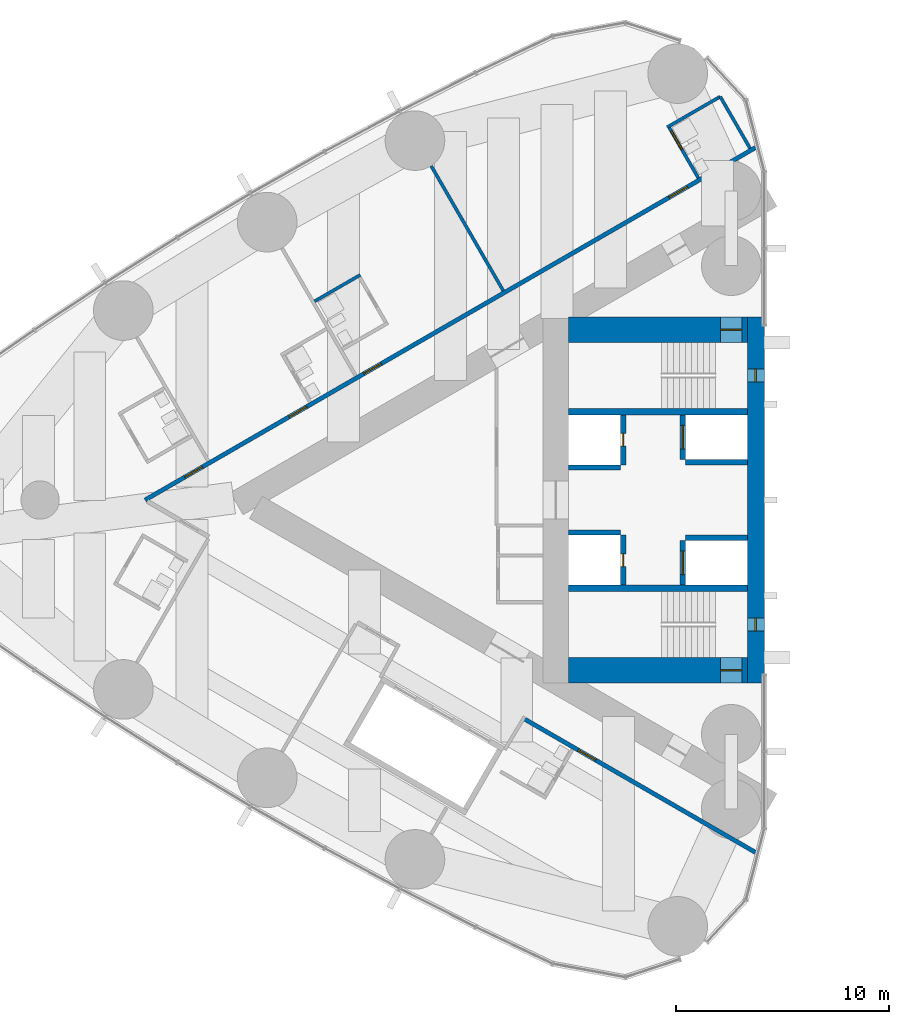
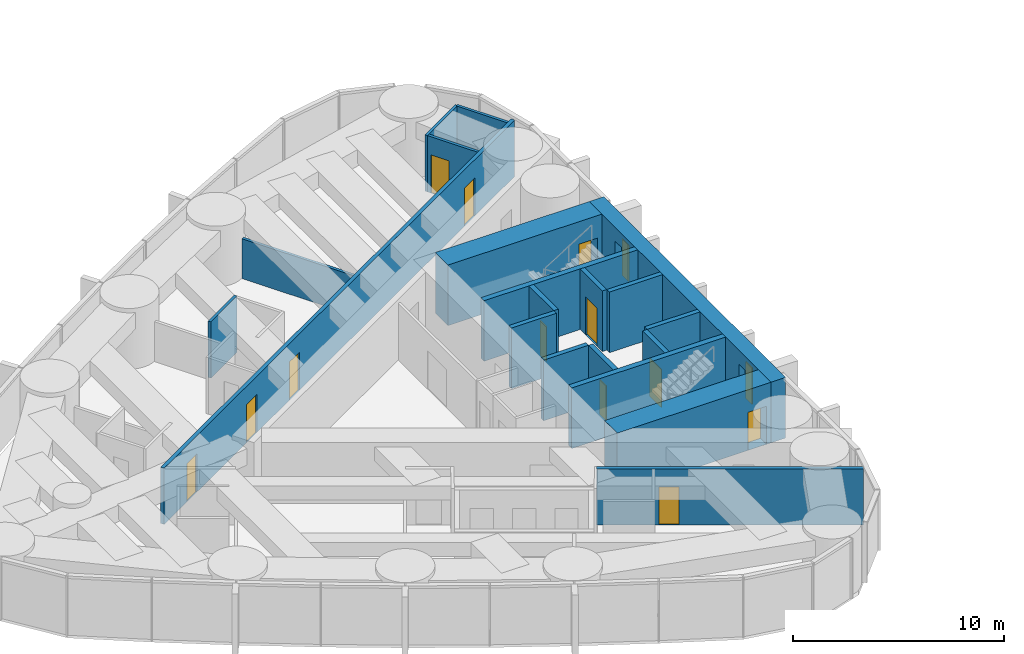
# One storey, part 13 of 19: 20 walls, 12 doors, 2 windows, 14 openings.
"""IFC4 building model written with IfcOpenShell, lengths in metres."""

from ifc_helpers import new_model, si_unit, direction, frame, frame_2d, origin, place, context, subcontext, project, spatial, rectangle, extrude, material, layer, layer_set, type_object, element, fill, save


model = new_model("IFC4")

# Units and contexts
model_context = context("Model", 3, precision=1e-05, world=origin(), true_north=direction((0.0, 1.0)))
body_context = subcontext(model_context, "Body", "Model", "MODEL_VIEW")
ifc_project = project(units=[si_unit("LENGTHUNIT", "METRE"), si_unit("AREAUNIT", "SQUARE_METRE"), si_unit("VOLUMEUNIT", "CUBIC_METRE"), si_unit("PLANEANGLEUNIT", "RADIAN"), si_unit("MASSUNIT", "GRAM", prefix="KILO")], contexts=[model_context])

# Site, building, storey
site_placement = place(None, origin())
site = spatial("IfcSite", under=ifc_project, at=site_placement, CompositionType="ELEMENT")
building_placement = place(site_placement, origin())
building = spatial("IfcBuilding", under=site, at=building_placement, Name="Lancet Gate Hotel", CompositionType="ELEMENT")
storey_placement = place(building_placement, frame((0.0, 0.0, 173.800048828125)))
storey = spatial("IfcBuildingStorey", under=building, at=storey_placement, Name="L46", CompositionType="ELEMENT", Elevation=173.800048828125)

# Wall
ifc_material_1 = material(Name="Moisture resistant board partition")
ifc_layer_1 = layer(ifc_material_1, 0.14990234375)
ifc_layer_set_1 = layer_set([ifc_layer_1], Name="Bathroom wall 150")
wall_type_1 = type_object("IfcWallType", Name="Bathroom wall 150", PredefinedType="PARTITIONING", material=ifc_layer_set_1)
wall_1_placement = place(storey_placement, frame((-29.56982421875, 18.936279296875, 0.0), z_axis=(0.0, 0.0, 1.0), x_axis=(-0.866018712932, -0.500011588718, 0.0)))
element("IfcWall", 1, at=wall_1_placement, inside=storey, type_object=wall_type_1, Name="T1 bathroom wall 150 L46", PredefinedType="PARTITIONING", context=body_context, shape_type="SweptSolid", body=[
    extrude(rectangle(XDim=2.875, YDim=0.14990234375, at=frame_2d((1.4375, 0.0))), origin(), (0.0, 0.0, 1.0), 3.25),
])

# Wall, opening, door
wall_2_placement = place(storey_placement, frame((-30.5947265625, 15.111328125, 0.0), z_axis=(0.0, 0.0, 1.0), x_axis=(-0.49998411664, 0.866034573852, 0.0)))
wall_2 = element("IfcWall", 2, at=wall_2_placement, inside=storey, type_object=wall_type_1, Name="T1 bathroom wall 150 L46", PredefinedType="PARTITIONING", context=body_context, shape_type="SweptSolid", body=[
    extrude(rectangle(XDim=2.7998046875, YDim=0.14990234375, at=frame_2d((1.39990234375, 0.0))), origin(), (0.0, 0.0, 1.0), 3.25),
])
opening_1_placement = place(wall_2_placement, frame((1.550048828125, 0.0, 0.0)))
opening_1 = element("IfcOpeningElement", 3, at=opening_1_placement, cuts=wall_2, Name="Opening 4601-B", PredefinedType="OPENING", context=body_context, shape_type="SweptSolid", body=[
    extrude(rectangle(XDim=1.0, YDim=2.199951171875, at=frame_2d((0.5, 1.10009765625))), frame((0.0, 0.0849609375, 0.0), z_axis=(0.0, -1.0, 0.0), x_axis=(1.0, 0.0, 0.0)), (0.0, 0.0, 1.0), 0.169921875),
])
ifc_material_2 = material(Name="Timber door set", Category="wood")
door_type_1 = type_object("IfcDoorType", Name="Accessible en-suite door 1000", OperationType="SINGLE_SWING_RIGHT", PredefinedType="DOOR", material=ifc_material_2)
door_1_placement = place(opening_1_placement, origin())
door_1 = element("IfcDoor", 4, at=door_1_placement, inside=storey, type_object=door_type_1, Name="4601-B", OperationType="SINGLE_SWING_RIGHT", OverallHeight=2.199951171875, OverallWidth=1.0, PredefinedType="DOOR", context=body_context, shape_type="SweptSolid", body=[
    extrude(rectangle(XDim=1.0, YDim=2.199951171875, at=frame_2d((0.5, 1.10009765625))), frame((0.0, 0.02490234375, 0.0), z_axis=(0.0, -1.0, 0.0), x_axis=(1.0, 0.0, 0.0)), (0.0, 0.0, 1.0), 0.050048828125),
])
fill(opening_1, door_1)

# Walls
wall_3_placement = place(storey_placement, frame((-28.169921875, 16.51123046875, 0.0), z_axis=(0.0, 0.0, 1.0), x_axis=(-0.49994636267, 0.866056369097, 0.0)))
element("IfcWall", 5, at=wall_3_placement, inside=storey, type_object=wall_type_1, Name="T1 bathroom wall 150 L46", PredefinedType="PARTITIONING", context=body_context, shape_type="SweptSolid", body=[
    extrude(rectangle(XDim=2.800048828125, YDim=0.14990234375, at=frame_2d((1.39990234375, 0.0))), origin(), (0.0, 0.0, 1.0), 3.25),
])
wall_4_placement = place(storey_placement, frame((-46.470458984375, 10.564208984375, 0.0), z_axis=(0.0, 0.0, 1.0), x_axis=(-0.866006523861, -0.500032699561, 0.0)))
element("IfcWall", 6, at=wall_4_placement, inside=storey, type_object=wall_type_1, Name="T1 bathroom wall 150 L46", PredefinedType="PARTITIONING", context=body_context, shape_type="SweptSolid", body=[
    extrude(rectangle(XDim=2.474853515625, YDim=0.14990234375, at=frame_2d((1.2373046875, 0.0))), origin(), (0.0, 0.0, 1.0), 3.25),
])

# Wall, opening, door
ifc_material_3 = material(Name="Concrete C70/85", Category="concrete")
ifc_layer_2 = layer(ifc_material_3, 1.199951171875)
ifc_layer_set_2 = layer_set([ifc_layer_2], Name="Core wall 1200")
wall_type_2 = type_object("IfcWallType", Name="Core wall 1200", PredefinedType="SHEAR", material=ifc_layer_set_2)
wall_5_placement = place(storey_placement, frame((-28.300048828125, 8.0, 0.0), z_axis=(0.0, 0.0, 1.0), x_axis=(-1.0, 0.0, 0.0)))
wall_5 = element("IfcWall", 7, at=wall_5_placement, inside=storey, type_object=wall_type_2, Name="T1 core wall side-S L46", PredefinedType="SHEAR", context=body_context, shape_type="SweptSolid", body=[
    extrude(rectangle(XDim=8.39990234375, YDim=1.199951171875, at=frame_2d((4.199951171875, 0.0))), origin(), (0.0, 0.0, 1.0), 3.5),
])
opening_2_placement = place(wall_5_placement, frame((0.25, 0.0, 0.0)))
opening_2 = element("IfcOpeningElement", 8, at=opening_2_placement, cuts=wall_5, Name="Opening T1-L46-ST1", PredefinedType="OPENING", context=body_context, shape_type="SweptSolid", body=[
    extrude(rectangle(XDim=1.0, YDim=2.199951171875, at=frame_2d((0.5, 1.10009765625))), frame((0.0, 0.60986328125, 0.0), z_axis=(0.0, -1.0, 0.0), x_axis=(1.0, 0.0, 0.0)), (0.0, 0.0, 1.0), 1.219970703125),
])
ifc_material_4 = material(Name="Timber door set", Category="wood")
door_type_2 = type_object("IfcDoorType", Name="Stair door 1000", OperationType="SINGLE_SWING_RIGHT", PredefinedType="DOOR", material=ifc_material_4)
door_2_placement = place(opening_2_placement, origin())
door_2 = element("IfcDoor", 9, at=door_2_placement, inside=storey, type_object=door_type_2, Name="T1-L46-ST1", OperationType="SINGLE_SWING_RIGHT", OverallHeight=2.199951171875, OverallWidth=1.0, PredefinedType="DOOR", context=body_context, shape_type="SweptSolid", body=[
    extrude(rectangle(XDim=1.0, YDim=2.199951171875, at=frame_2d((0.5, 1.10009765625))), frame((0.0, 0.02490234375, 0.0), z_axis=(0.0, -1.0, 0.0), x_axis=(1.0, 0.0, 0.0)), (0.0, 0.0, 1.0), 0.050048828125),
])
fill(opening_2, door_2)

wall_6_placement = place(storey_placement, frame((-28.300048828125, -8.0, 0.0), z_axis=(0.0, 0.0, 1.0), x_axis=(-1.0, 0.0, 0.0)))
wall_6 = element("IfcWall", 10, at=wall_6_placement, inside=storey, type_object=wall_type_2, Name="T1 core wall side-N L46", PredefinedType="SHEAR", context=body_context, shape_type="SweptSolid", body=[
    extrude(rectangle(XDim=8.39990234375, YDim=1.199951171875, at=frame_2d((4.199951171875, 0.0))), origin(), (0.0, 0.0, 1.0), 3.5),
])
opening_3_placement = place(wall_6_placement, frame((0.25, 0.0, 0.0)))
opening_3 = element("IfcOpeningElement", 11, at=opening_3_placement, cuts=wall_6, Name="Opening T1-L46-ST2", PredefinedType="OPENING", context=body_context, shape_type="SweptSolid", body=[
    extrude(rectangle(XDim=1.0, YDim=2.199951171875, at=frame_2d((0.5, 1.10009765625))), frame((0.0, 0.60986328125, 0.0), z_axis=(0.0, -1.0, 0.0), x_axis=(1.0, 0.0, 0.0)), (0.0, 0.0, 1.0), 1.219970703125),
])
door_3_placement = place(opening_3_placement, origin())
door_3 = element("IfcDoor", 12, at=door_3_placement, inside=storey, type_object=door_type_2, Name="T1-L46-ST2", OperationType="SINGLE_SWING_RIGHT", OverallHeight=2.199951171875, OverallWidth=1.0, PredefinedType="DOOR", context=body_context, shape_type="SweptSolid", body=[
    extrude(rectangle(XDim=1.0, YDim=2.199951171875, at=frame_2d((0.5, 1.10009765625))), frame((0.0, 0.02490234375, 0.0), z_axis=(0.0, -1.0, 0.0), x_axis=(1.0, 0.0, 0.0)), (0.0, 0.0, 1.0), 0.050048828125),
])
fill(opening_3, door_3)

# Wall, openings, windows
ifc_material_5 = material(Name="Concrete C70/85", Category="concrete")
ifc_layer_3 = layer(ifc_material_5, 0.800048828125)
ifc_layer_set_3 = layer_set([ifc_layer_3], Name="Core wall 800")
wall_type_3 = type_object("IfcWallType", Name="Core wall 800", PredefinedType="SHEAR", material=ifc_layer_set_3)
wall_7_placement = place(storey_placement, frame((-27.89990234375, 8.60009765625, 0.0), z_axis=(0.0, 0.0, 1.0), x_axis=(0.0, -1.0, 0.0)))
wall_7 = element("IfcWall", 13, at=wall_7_placement, inside=storey, type_object=wall_type_3, Name="T1 core wall front L46", PredefinedType="SHEAR", context=body_context, shape_type="SweptSolid", body=[
    extrude(rectangle(XDim=17.2001953125, YDim=0.800048828125, at=frame_2d((8.60009765625, 0.0))), origin(), (0.0, 0.0, 1.0), 3.5),
])
opening_4_placement = place(wall_7_placement, frame((2.449951171875, 0.0, 0.60009765625)))
opening_4 = element("IfcOpeningElement", 14, at=opening_4_placement, cuts=wall_7, Name="Opening LW1", PredefinedType="OPENING", context=body_context, shape_type="SweptSolid", body=[
    extrude(rectangle(XDim=0.60009765625, YDim=2.10009765625, at=frame_2d((0.300048828125, 1.050048828125))), frame((0.0, 0.409912109375, 0.0), z_axis=(0.0, -1.0, 0.0), x_axis=(1.0, 0.0, 0.0)), (0.0, 0.0, 1.0), 0.820068359375),
])
opening_5_placement = place(wall_7_placement, frame((14.14990234375, 0.0, 0.60009765625)))
opening_5 = element("IfcOpeningElement", 15, at=opening_5_placement, cuts=wall_7, Name="Opening LW1", PredefinedType="OPENING", context=body_context, shape_type="SweptSolid", body=[
    extrude(rectangle(XDim=0.60009765625, YDim=2.10009765625, at=frame_2d((0.300048828125, 1.050048828125))), frame((0.0, 0.409912109375, 0.0), z_axis=(0.0, -1.0, 0.0), x_axis=(1.0, 0.0, 0.0)), (0.0, 0.0, 1.0), 0.820068359375),
])
ifc_material_6 = material(Name="Fire-resisting glazed steel window", Category="steel")
window_type = type_object("IfcWindowType", Name="Lancet window 600x2100", PartitioningType="SINGLE_PANEL", PredefinedType="WINDOW", material=ifc_material_6)
window_1_placement = place(opening_4_placement, origin())
window_1 = element("IfcWindow", 16, at=window_1_placement, inside=storey, type_object=window_type, Name="T1 stair window S L46", OverallHeight=2.10009765625, OverallWidth=0.60009765625, PartitioningType="SINGLE_PANEL", PredefinedType="WINDOW", context=body_context, shape_type="SweptSolid", body=[
    extrude(rectangle(XDim=0.60009765625, YDim=2.10009765625, at=frame_2d((0.300048828125, 1.050048828125))), frame((0.0, 0.030029296875, 0.0), z_axis=(0.0, -1.0, 0.0), x_axis=(1.0, 0.0, 0.0)), (0.0, 0.0, 1.0), 0.06005859375),
])
fill(opening_4, window_1)
window_2_placement = place(opening_5_placement, origin())
window_2 = element("IfcWindow", 17, at=window_2_placement, inside=storey, type_object=window_type, Name="T1 stair window N L46", OverallHeight=2.10009765625, OverallWidth=0.60009765625, PartitioningType="SINGLE_PANEL", PredefinedType="WINDOW", context=body_context, shape_type="SweptSolid", body=[
    extrude(rectangle(XDim=0.60009765625, YDim=2.10009765625, at=frame_2d((0.300048828125, 1.050048828125))), frame((0.0, 0.030029296875, 0.0), z_axis=(0.0, -1.0, 0.0), x_axis=(1.0, 0.0, 0.0)), (0.0, 0.0, 1.0), 0.06005859375),
])
fill(opening_5, window_2)

# Wall, openings, doors
ifc_material_7 = material(Name="Gypsum board partition")
ifc_layer_4 = layer(ifc_material_7, 0.199951171875)
ifc_layer_set_4 = layer_set([ifc_layer_4], Name="Corridor wall 200")
wall_type_4 = type_object("IfcWallType", Name="Corridor wall 200", PredefinedType="PARTITIONING", material=ifc_layer_set_4)
wall_8_placement = place(storey_placement, frame((-27.860107421875, 16.57470703125, 0.0), z_axis=(0.0, 0.0, 1.0), x_axis=(-0.866025533911, -0.499999774615, 0.0)))
wall_8 = element("IfcWall", 18, at=wall_8_placement, inside=storey, type_object=wall_type_4, Name="T1 corridor wall 200 L46", PredefinedType="PARTITIONING", context=body_context, shape_type="SweptSolid", body=[
    extrude(rectangle(XDim=33.1494140625, YDim=0.199951171875, at=frame_2d((16.57470703125, 0.0))), origin(), (0.0, 0.0, 1.0), 3.25),
])
opening_6_placement = place(wall_8_placement, frame((3.75, 0.0, 0.0)))
opening_6 = element("IfcOpeningElement", 19, at=opening_6_placement, cuts=wall_8, Name="Opening 4601-E", PredefinedType="OPENING", context=body_context, shape_type="SweptSolid", body=[
    extrude(rectangle(XDim=1.0, YDim=2.199951171875, at=frame_2d((0.5, 1.10009765625))), frame((0.0, 0.10986328125, 0.0), z_axis=(0.0, -1.0, 0.0), x_axis=(1.0, 0.0, 0.0)), (0.0, 0.0, 1.0), 0.219970703125),
])
opening_7_placement = place(wall_8_placement, frame((20.347412109375, 0.0, 0.0)))
opening_7 = element("IfcOpeningElement", 20, at=opening_7_placement, cuts=wall_8, Name="Opening 4602-E", PredefinedType="OPENING", context=body_context, shape_type="SweptSolid", body=[
    extrude(rectangle(XDim=0.949951171875, YDim=2.199951171875, at=frame_2d((0.47509765625, 1.10009765625))), frame((0.0, 0.10986328125, 0.0), z_axis=(0.0, -1.0, 0.0), x_axis=(1.0, 0.0, 0.0)), (0.0, 0.0, 1.0), 0.219970703125),
])
opening_8_placement = place(wall_8_placement, frame((24.397216796875, 0.0, 0.0)))
opening_8 = element("IfcOpeningElement", 21, at=opening_8_placement, cuts=wall_8, Name="Opening 4603-E", PredefinedType="OPENING", context=body_context, shape_type="SweptSolid", body=[
    extrude(rectangle(XDim=0.949951171875, YDim=2.199951171875, at=frame_2d((0.47509765625, 1.10009765625))), frame((0.0, 0.10986328125, 0.0), z_axis=(0.0, -1.0, 0.0), x_axis=(1.0, 0.0, 0.0)), (0.0, 0.0, 1.0), 0.219970703125),
])
opening_9_placement = place(wall_8_placement, frame((30.04150390625, 0.0, 0.0)))
opening_9 = element("IfcOpeningElement", 22, at=opening_9_placement, cuts=wall_8, Name="Opening 4604-E", PredefinedType="OPENING", context=body_context, shape_type="SweptSolid", body=[
    extrude(rectangle(XDim=0.949951171875, YDim=2.199951171875, at=frame_2d((0.47509765625, 1.10009765625))), frame((0.0, 0.10986328125, 0.0), z_axis=(0.0, -1.0, 0.0), x_axis=(1.0, 0.0, 0.0)), (0.0, 0.0, 1.0), 0.219970703125),
])
ifc_material_8 = material(Name="Timber door set", Category="wood")
door_type_3 = type_object("IfcDoorType", Name="Accessible guest room door 1000", OperationType="SINGLE_SWING_LEFT", PredefinedType="DOOR", material=ifc_material_8)
door_4_placement = place(opening_6_placement, origin())
door_4 = element("IfcDoor", 23, at=door_4_placement, inside=storey, type_object=door_type_3, Name="4601-E", OperationType="SINGLE_SWING_LEFT", OverallHeight=2.199951171875, OverallWidth=1.0, PredefinedType="DOOR", context=body_context, shape_type="SweptSolid", body=[
    extrude(rectangle(XDim=1.0, YDim=2.199951171875, at=frame_2d((0.5, 1.10009765625))), frame((0.0, 0.02490234375, 0.0), z_axis=(0.0, -1.0, 0.0), x_axis=(1.0, 0.0, 0.0)), (0.0, 0.0, 1.0), 0.050048828125),
])
fill(opening_6, door_4)
ifc_material_9 = material(Name="Timber door set", Category="wood")
door_type_4 = type_object("IfcDoorType", Name="Guest room entry door 950", OperationType="SINGLE_SWING_LEFT", PredefinedType="DOOR", material=ifc_material_9)
door_5_placement = place(opening_7_placement, origin())
door_5 = element("IfcDoor", 24, at=door_5_placement, inside=storey, type_object=door_type_4, Name="4602-E", OperationType="SINGLE_SWING_LEFT", OverallHeight=2.199951171875, OverallWidth=0.949951171875, PredefinedType="DOOR", context=body_context, shape_type="SweptSolid", body=[
    extrude(rectangle(XDim=0.949951171875, YDim=2.199951171875, at=frame_2d((0.47509765625, 1.10009765625))), frame((0.0, 0.02490234375, 0.0), z_axis=(0.0, -1.0, 0.0), x_axis=(1.0, 0.0, 0.0)), (0.0, 0.0, 1.0), 0.050048828125),
])
fill(opening_7, door_5)
door_6_placement = place(opening_8_placement, origin())
door_6 = element("IfcDoor", 25, at=door_6_placement, inside=storey, type_object=door_type_4, Name="4603-E", OperationType="SINGLE_SWING_LEFT", OverallHeight=2.199951171875, OverallWidth=0.949951171875, PredefinedType="DOOR", context=body_context, shape_type="SweptSolid", body=[
    extrude(rectangle(XDim=0.949951171875, YDim=2.199951171875, at=frame_2d((0.47509765625, 1.10009765625))), frame((0.0, 0.02490234375, 0.0), z_axis=(0.0, -1.0, 0.0), x_axis=(1.0, 0.0, 0.0)), (0.0, 0.0, 1.0), 0.050048828125),
])
fill(opening_8, door_6)
door_7_placement = place(opening_9_placement, origin())
door_7 = element("IfcDoor", 26, at=door_7_placement, inside=storey, type_object=door_type_4, Name="4604-E", OperationType="SINGLE_SWING_LEFT", OverallHeight=2.199951171875, OverallWidth=0.949951171875, PredefinedType="DOOR", context=body_context, shape_type="SweptSolid", body=[
    extrude(rectangle(XDim=0.949951171875, YDim=2.199951171875, at=frame_2d((0.47509765625, 1.10009765625))), frame((0.0, 0.02490234375, 0.0), z_axis=(0.0, -1.0, 0.0), x_axis=(1.0, 0.0, 0.0)), (0.0, 0.0, 1.0), 0.050048828125),
])
fill(opening_9, door_7)

# Wall, opening, door
wall_9_placement = place(storey_placement, frame((-27.860107421875, -16.57470703125, 0.0), z_axis=(0.0, 0.0, 1.0), x_axis=(-0.866027756871, 0.499995924312, 0.0)))
wall_9 = element("IfcWall", 27, at=wall_9_placement, inside=storey, type_object=wall_type_4, Name="T1 corridor wall 200 L46", PredefinedType="PARTITIONING", context=body_context, shape_type="SweptSolid", body=[
    extrude(rectangle(XDim=12.6220703125, YDim=0.199951171875, at=frame_2d((6.31103515625, 0.0))), origin(), (0.0, 0.0, 1.0), 3.25),
])
opening_10_placement = place(wall_9_placement, frame((8.72216796875, 0.0, 0.0)))
opening_10 = element("IfcOpeningElement", 28, at=opening_10_placement, cuts=wall_9, Name="Opening 4608-E", PredefinedType="OPENING", context=body_context, shape_type="SweptSolid", body=[
    extrude(rectangle(XDim=0.949951171875, YDim=2.199951171875, at=frame_2d((0.47509765625, 1.10009765625))), frame((0.0, 0.10986328125, 0.0), z_axis=(0.0, -1.0, 0.0), x_axis=(1.0, 0.0, 0.0)), (0.0, 0.0, 1.0), 0.219970703125),
])
door_8_placement = place(opening_10_placement, origin())
door_8 = element("IfcDoor", 29, at=door_8_placement, inside=storey, type_object=door_type_4, Name="4608-E", OperationType="SINGLE_SWING_LEFT", OverallHeight=2.199951171875, OverallWidth=0.949951171875, PredefinedType="DOOR", context=body_context, shape_type="SweptSolid", body=[
    extrude(rectangle(XDim=0.949951171875, YDim=2.199951171875, at=frame_2d((0.47509765625, 1.10009765625))), frame((0.0, 0.02490234375, 0.0), z_axis=(0.0, -1.0, 0.0), x_axis=(1.0, 0.0, 0.0)), (0.0, 0.0, 1.0), 0.050048828125),
])
fill(opening_10, door_8)

ifc_material_10 = material(Name="Concrete C50/60", Category="concrete")
ifc_layer_5 = layer(ifc_material_10, 0.25)
ifc_layer_set_5 = layer_set([ifc_layer_5], Name="Lift shaft wall 250")
wall_type_5 = type_object("IfcWallType", Name="Lift shaft wall 250", PredefinedType="SHEAR", material=ifc_layer_set_5)
wall_10_placement = place(storey_placement, frame((-31.324951171875, 4.0, 0.0), z_axis=(0.0, 0.0, 1.0), x_axis=(0.0, -1.0, 0.0)))
wall_10 = element("IfcWall", 30, at=wall_10_placement, inside=storey, type_object=wall_type_5, Name="T1 core wall row1-S L46", PredefinedType="SHEAR", context=body_context, shape_type="SweptSolid", body=[
    extrude(rectangle(XDim=2.10009765625, YDim=0.25, at=frame_2d((1.050048828125, 0.0))), origin(), (0.0, 0.0, 1.0), 3.5),
])
opening_11_placement = place(wall_10_placement, frame((0.5, 0.0, 0.0)))
opening_11 = element("IfcOpeningElement", 31, at=opening_11_placement, cuts=wall_10, Name="Opening T1-SL1-L46", PredefinedType="OPENING", context=body_context, shape_type="SweptSolid", body=[
    extrude(rectangle(XDim=1.10009765625, YDim=2.199951171875, at=frame_2d((0.550048828125, 1.10009765625))), frame((0.0, 0.135009765625, 0.0), z_axis=(0.0, -1.0, 0.0), x_axis=(1.0, 0.0, 0.0)), (0.0, 0.0, 1.0), 0.27001953125),
])
ifc_material_11 = material(Name="Timber door set", Category="wood")
door_type_5 = type_object("IfcDoorType", Name="Service lift landing door 1100", OperationType="SLIDING_TO_LEFT", PredefinedType="USERDEFINED", material=ifc_material_11)
door_9_placement = place(opening_11_placement, origin())
door_9 = element("IfcDoor", 32, at=door_9_placement, inside=storey, type_object=door_type_5, Name="T1-SL1-L46", ObjectType="LIFT LANDING DOOR", OperationType="SLIDING_TO_LEFT", OverallHeight=2.199951171875, OverallWidth=1.10009765625, PredefinedType="USERDEFINED", context=body_context, shape_type="SweptSolid", body=[
    extrude(rectangle(XDim=1.10009765625, YDim=2.199951171875, at=frame_2d((0.550048828125, 1.10009765625))), frame((0.0, 0.02490234375, 0.0), z_axis=(0.0, -1.0, 0.0), x_axis=(1.0, 0.0, 0.0)), (0.0, 0.0, 1.0), 0.050048828125),
])
fill(opening_11, door_9)

wall_11_placement = place(storey_placement, frame((-34.125, 4.0, 0.0), z_axis=(0.0, 0.0, 1.0), x_axis=(0.0, -1.0, 0.0)))
wall_11 = element("IfcWall", 33, at=wall_11_placement, inside=storey, type_object=wall_type_5, Name="T1 core wall row2-S L46", PredefinedType="SHEAR", context=body_context, shape_type="SweptSolid", body=[
    extrude(rectangle(XDim=2.35009765625, YDim=0.25, at=frame_2d((1.175048828125, 0.0))), origin(), (0.0, 0.0, 1.0), 3.5),
])
opening_12_placement = place(wall_11_placement, frame((0.875, 0.0, 0.0)))
opening_12 = element("IfcOpeningElement", 34, at=opening_12_placement, cuts=wall_11, Name="Opening T1-OL3-L46-E", PredefinedType="OPENING", context=body_context, shape_type="SweptSolid", body=[
    extrude(rectangle(XDim=0.60009765625, YDim=2.0, at=frame_2d((0.300048828125, 1.0))), frame((0.0, 0.135009765625, 0.0), z_axis=(0.0, -1.0, 0.0), x_axis=(1.0, 0.0, 0.0)), (0.0, 0.0, 1.0), 0.27001953125),
])
ifc_material_12 = material(Name="Steel door set", Category="steel")
door_type_6 = type_object("IfcDoorType", Name="Lift shaft emergency door 600x2000", OperationType="SLIDING_TO_LEFT", PredefinedType="DOOR", material=ifc_material_12)
door_10_placement = place(opening_12_placement, origin())
door_10 = element("IfcDoor", 35, at=door_10_placement, inside=storey, type_object=door_type_6, Name="T1-OL3-L46-E", OperationType="SLIDING_TO_LEFT", OverallHeight=2.0, OverallWidth=0.60009765625, PredefinedType="DOOR", context=body_context, shape_type="SweptSolid", body=[
    extrude(rectangle(XDim=0.60009765625, YDim=2.0, at=frame_2d((0.300048828125, 1.0))), frame((0.0, 0.02490234375, 0.0), z_axis=(0.0, -1.0, 0.0), x_axis=(1.0, 0.0, 0.0)), (0.0, 0.0, 1.0), 0.050048828125),
])
fill(opening_12, door_10)

# Walls
wall_12_placement = place(storey_placement, frame((-28.300048828125, 1.77490234375, 0.0), z_axis=(0.0, 0.0, 1.0), x_axis=(-1.0, 0.0, 0.0)))
element("IfcWall", 36, at=wall_12_placement, inside=storey, type_object=wall_type_5, Name="T1 core wall pass1-S L46", PredefinedType="SHEAR", context=body_context, shape_type="SweptSolid", body=[
    extrude(rectangle(XDim=2.89990234375, YDim=0.25, at=frame_2d((1.449951171875, 0.0))), origin(), (0.0, 0.0, 1.0), 3.5),
])
wall_13_placement = place(storey_placement, frame((-34.25, 1.52490234375, 0.0), z_axis=(0.0, 0.0, 1.0), x_axis=(-1.0, 0.0, 0.0)))
element("IfcWall", 37, at=wall_13_placement, inside=storey, type_object=wall_type_5, Name="T1 core wall pass2-S L46", PredefinedType="SHEAR", context=body_context, shape_type="SweptSolid", body=[
    extrude(rectangle(XDim=2.449951171875, YDim=0.25, at=frame_2d((1.22509765625, 0.0))), origin(), (0.0, 0.0, 1.0), 3.5),
])

# Wall, opening, door
wall_14_placement = place(storey_placement, frame((-31.324951171875, -1.89990234375, 0.0), z_axis=(0.0, 0.0, 1.0), x_axis=(0.0, -1.0, 0.0)))
wall_14 = element("IfcWall", 38, at=wall_14_placement, inside=storey, type_object=wall_type_5, Name="T1 core wall row1-N L46", PredefinedType="SHEAR", context=body_context, shape_type="SweptSolid", body=[
    extrude(rectangle(XDim=2.10009765625, YDim=0.25, at=frame_2d((1.050048828125, 0.0))), origin(), (0.0, 0.0, 1.0), 3.5),
])
opening_13_placement = place(wall_14_placement, frame((0.5, 0.0, 0.0)))
opening_13 = element("IfcOpeningElement", 39, at=opening_13_placement, cuts=wall_14, Name="Opening T1-FL2-L46", PredefinedType="OPENING", context=body_context, shape_type="SweptSolid", body=[
    extrude(rectangle(XDim=1.10009765625, YDim=2.199951171875, at=frame_2d((0.550048828125, 1.10009765625))), frame((0.0, 0.135009765625, 0.0), z_axis=(0.0, -1.0, 0.0), x_axis=(1.0, 0.0, 0.0)), (0.0, 0.0, 1.0), 0.27001953125),
])
ifc_material_13 = material(Name="Steel door set", Category="steel")
door_type_7 = type_object("IfcDoorType", Name="Firefighting lift landing door 1100", OperationType="SLIDING_TO_LEFT", PredefinedType="USERDEFINED", material=ifc_material_13)
door_11_placement = place(opening_13_placement, origin())
door_11 = element("IfcDoor", 40, at=door_11_placement, inside=storey, type_object=door_type_7, Name="T1-FL2-L46", ObjectType="LIFT LANDING DOOR", OperationType="SLIDING_TO_LEFT", OverallHeight=2.199951171875, OverallWidth=1.10009765625, PredefinedType="USERDEFINED", context=body_context, shape_type="SweptSolid", body=[
    extrude(rectangle(XDim=1.10009765625, YDim=2.199951171875, at=frame_2d((0.550048828125, 1.10009765625))), frame((0.0, 0.02490234375, 0.0), z_axis=(0.0, -1.0, 0.0), x_axis=(1.0, 0.0, 0.0)), (0.0, 0.0, 1.0), 0.050048828125),
])
fill(opening_13, door_11)

wall_15_placement = place(storey_placement, frame((-34.125, -1.64990234375, 0.0), z_axis=(0.0, 0.0, 1.0), x_axis=(0.0, -1.0, 0.0)))
wall_15 = element("IfcWall", 41, at=wall_15_placement, inside=storey, type_object=wall_type_5, Name="T1 core wall row2-N L46", PredefinedType="SHEAR", context=body_context, shape_type="SweptSolid", body=[
    extrude(rectangle(XDim=2.35009765625, YDim=0.25, at=frame_2d((1.175048828125, 0.0))), origin(), (0.0, 0.0, 1.0), 3.5),
])
opening_14_placement = place(wall_15_placement, frame((0.875, 0.0, 0.0)))
opening_14 = element("IfcOpeningElement", 42, at=opening_14_placement, cuts=wall_15, Name="Opening T1-OL4-L46-E", PredefinedType="OPENING", context=body_context, shape_type="SweptSolid", body=[
    extrude(rectangle(XDim=0.60009765625, YDim=2.0, at=frame_2d((0.300048828125, 1.0))), frame((0.0, 0.135009765625, 0.0), z_axis=(0.0, -1.0, 0.0), x_axis=(1.0, 0.0, 0.0)), (0.0, 0.0, 1.0), 0.27001953125),
])
door_12_placement = place(opening_14_placement, origin())
door_12 = element("IfcDoor", 43, at=door_12_placement, inside=storey, type_object=door_type_6, Name="T1-OL4-L46-E", OperationType="SLIDING_TO_LEFT", OverallHeight=2.0, OverallWidth=0.60009765625, PredefinedType="DOOR", context=body_context, shape_type="SweptSolid", body=[
    extrude(rectangle(XDim=0.60009765625, YDim=2.0, at=frame_2d((0.300048828125, 1.0))), frame((0.0, 0.02490234375, 0.0), z_axis=(0.0, -1.0, 0.0), x_axis=(1.0, 0.0, 0.0)), (0.0, 0.0, 1.0), 0.050048828125),
])
fill(opening_14, door_12)

# Walls
wall_16_placement = place(storey_placement, frame((-28.300048828125, -1.77490234375, 0.0), z_axis=(0.0, 0.0, 1.0), x_axis=(-1.0, 0.0, 0.0)))
element("IfcWall", 44, at=wall_16_placement, inside=storey, type_object=wall_type_5, Name="T1 core wall pass1-N L46", PredefinedType="SHEAR", context=body_context, shape_type="SweptSolid", body=[
    extrude(rectangle(XDim=2.89990234375, YDim=0.25, at=frame_2d((1.449951171875, 0.0))), origin(), (0.0, 0.0, 1.0), 3.5),
])
wall_17_placement = place(storey_placement, frame((-34.25, -1.52490234375, 0.0), z_axis=(0.0, 0.0, 1.0), x_axis=(-1.0, 0.0, 0.0)))
element("IfcWall", 45, at=wall_17_placement, inside=storey, type_object=wall_type_5, Name="T1 core wall pass2-N L46", PredefinedType="SHEAR", context=body_context, shape_type="SweptSolid", body=[
    extrude(rectangle(XDim=2.449951171875, YDim=0.25, at=frame_2d((1.22509765625, 0.0))), origin(), (0.0, 0.0, 1.0), 3.5),
])
ifc_material_14 = material(Name="Gypsum board partition")
ifc_layer_6 = layer(ifc_material_14, 0.14990234375)
ifc_layer_set_6 = layer_set([ifc_layer_6], Name="Party wall 150")
wall_type_6 = type_object("IfcWallType", Name="Party wall 150", PredefinedType="PARTITIONING", material=ifc_layer_set_6)
wall_18_placement = place(storey_placement, frame((-39.75439453125, 9.822998046875, 0.0), z_axis=(0.0, 0.0, 1.0), x_axis=(-0.499997670926, 0.866026748472, 0.0)))
element("IfcWall", 46, at=wall_18_placement, inside=storey, type_object=wall_type_6, Name="T1 party wall 150 L46", PredefinedType="PARTITIONING", context=body_context, shape_type="SweptSolid", body=[
    extrude(rectangle(XDim=6.75732421875, YDim=0.14990234375, at=frame_2d((3.378662109375, 0.0))), origin(), (0.0, 0.0, 1.0), 2.300048828125),
])
ifc_material_15 = material(Name="Concrete C50/60", Category="concrete")
ifc_layer_7 = layer(ifc_material_15, 0.300048828125)
ifc_layer_set_7 = layer_set([ifc_layer_7], Name="Stair enclosure wall 300")
wall_type_7 = type_object("IfcWallType", Name="Stair enclosure wall 300", PredefinedType="SHEAR", material=ifc_layer_set_7)
for number, where, z_axis, x_axis, name in (
    (47, (-28.300048828125, 4.14990234375, 0.0), (0.0, 0.0, 1.0), (-1.0, 0.0, 0.0), "T1 core wall stair-S L46"),
    (48, (-28.300048828125, -4.14990234375, 0.0), (0.0, 0.0, 1.0), (-1.0, 0.0, 0.0), "T1 core wall stair-N L46"),
):
    element("IfcWall", number, at=place(storey_placement, frame(where, z_axis=z_axis, x_axis=x_axis)), inside=storey, type_object=wall_type_7, Name=name, PredefinedType="SHEAR", context=body_context, shape_type="SweptSolid", body=[
        extrude(rectangle(XDim=8.39990234375, YDim=0.300048828125, at=frame_2d((4.199951171875, 0.0))), origin(), (0.0, 0.0, 1.0), 3.5),
    ])

save(model, "model.ifc")
